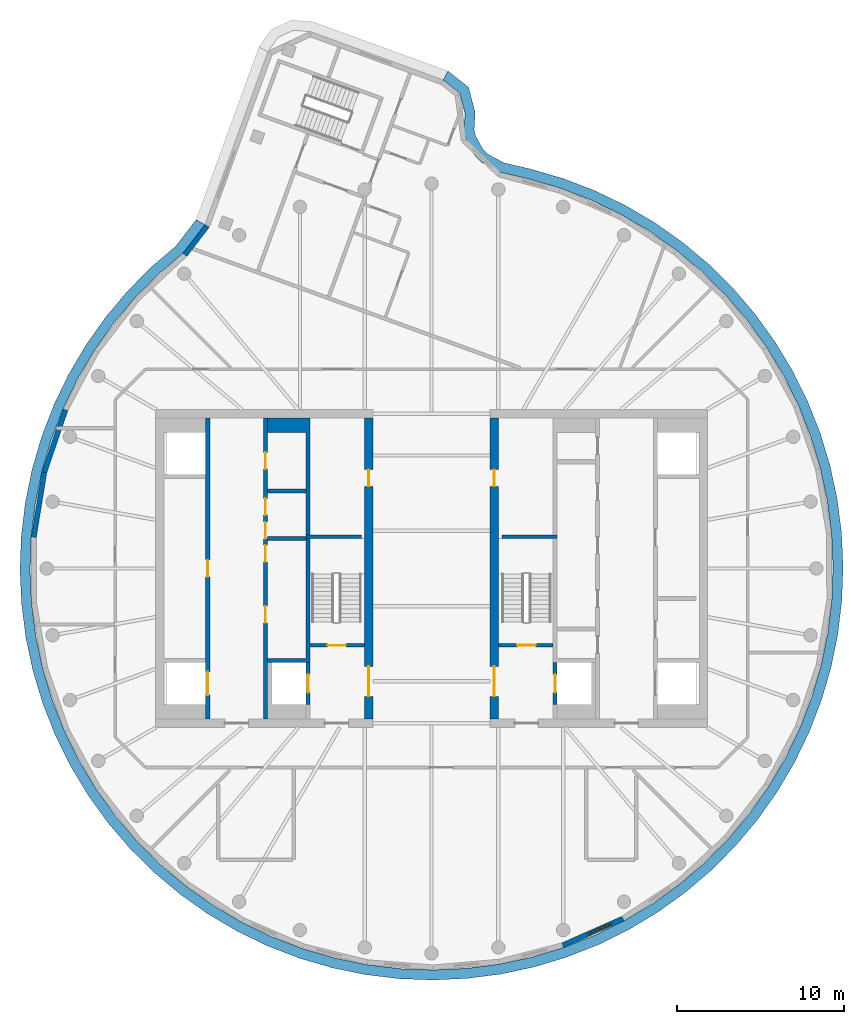
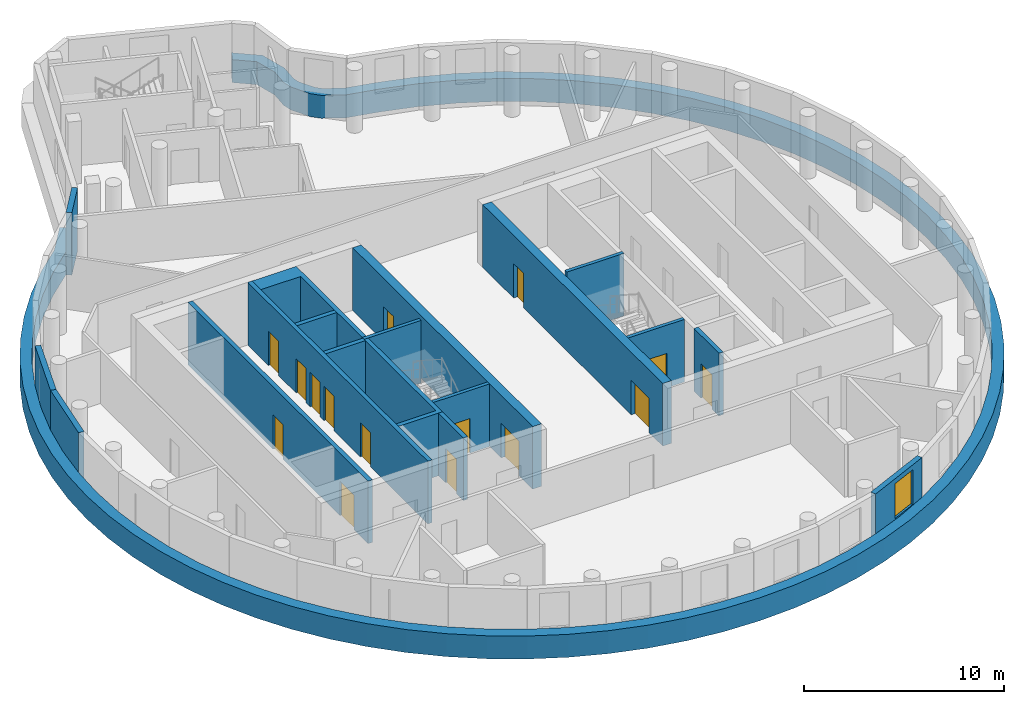
# One storey, part 3 of 7: 17 walls, 15 doors, 1 member, 1 window, 16 openings.
"""IFC4 building model written with IfcOpenShell, lengths in metres."""

from ifc_helpers import new_model, si_unit, direction, frame, frame_2d, origin, place, context, subcontext, project, spatial, polyline, rectangle, outline, extrude, material, layer, layer_set, type_object, element, fill, aggregate, save


model = new_model("IFC4")

# Units and contexts
model_context = context("Model", 3, precision=1e-05, world=origin(), true_north=direction((0.0, 1.0)))
body_context = subcontext(model_context, "Body", "Model", "MODEL_VIEW")
ifc_project = project(units=[si_unit("LENGTHUNIT", "METRE"), si_unit("AREAUNIT", "SQUARE_METRE"), si_unit("VOLUMEUNIT", "CUBIC_METRE"), si_unit("PLANEANGLEUNIT", "RADIAN"), si_unit("MASSUNIT", "GRAM", prefix="KILO")], contexts=[model_context])

# Member
ifc_material_1 = material(Name="Aluminium and insulated spandrel panel", Category="aluminium")
member_type = type_object("IfcMemberType", Name="Floor-edge blade transom", PredefinedType="USERDEFINED", material=ifc_material_1)
site_placement = place(None, origin())
building_placement = place(site_placement, origin())
storey_placement = place(building_placement, frame((0.0, 0.0, 305.39990234375)))
member_placement = place(storey_placement, origin())
member = element("IfcMember", 1, at=member_placement, type_object=member_type, Name="CWT-L75-02", ObjectType="TRANSOM", PredefinedType="USERDEFINED", context=body_context, shape_type="SweptSolid", body=[
    extrude(outline(polyline([(-13.54248046875, 20.54736328125), (-14.847900390625, 18.848876953125), (-16.327880859375, 17.584228515625), (-17.72412109375, 16.17578125), (-18.99951171875, 14.656982421875), (-20.14501953125, 13.0380859375), (-21.15283203125, 11.329833984375), (-22.01611328125, 9.54443359375), (-22.72900390625, 7.69384765625), (-23.286865234375, 5.79052734375), (-23.685546875, 3.84765625), (-23.92236328125, 1.878662109375), (-23.995849609375, -0.103271484375), (-23.9052734375, -2.08447265625), (-23.6513671875, -4.051513671875), (-23.236083984375, -5.99072265625), (-22.662109375, -7.88916015625), (-21.93310546875, -9.733642578125), (-21.054443359375, -11.511474609375), (-20.031982421875, -13.2109375), (-18.87255859375, -14.820068359375), (-17.584228515625, -16.327880859375), (-16.17578125, -17.72412109375), (-14.656982421875, -18.99951171875), (-13.0380859375, -20.14501953125), (-11.329833984375, -21.15283203125), (-9.54443359375, -22.01611328125), (-7.69384765625, -22.72900390625), (-5.79052734375, -23.286865234375), (-3.84765625, -23.685546875), (-1.878662109375, -23.92236328125), (0.103271484375, -23.995849609375), (2.08447265625, -23.9052734375), (4.051513671875, -23.6513671875), (5.99072265625, -23.236083984375), (7.88916015625, -22.662109375), (9.733642578125, -21.93310546875), (11.511474609375, -21.054443359375), (13.2109375, -20.031982421875), (14.820068359375, -18.87255859375), (16.327880859375, -17.584228515625), (17.72412109375, -16.17578125), (18.99951171875, -14.656982421875), (20.14501953125, -13.0380859375), (21.15283203125, -11.329833984375), (22.01611328125, -9.54443359375), (22.72900390625, -7.69384765625), (23.286865234375, -5.79052734375), (23.685546875, -3.84765625), (23.92236328125, -1.878662109375), (23.995849609375, 0.103271484375), (23.9052734375, 2.08447265625), (23.6513671875, 4.051513671875), (23.236083984375, 5.99072265625), (22.662109375, 7.88916015625), (21.93310546875, 9.733642578125), (21.054443359375, 11.511474609375), (20.031982421875, 13.2109375), (18.87255859375, 14.820068359375), (17.584228515625, 16.327880859375), (16.17578125, 17.72412109375), (14.656982421875, 18.99951171875), (13.0380859375, 20.14501953125), (11.329833984375, 21.15283203125), (9.54443359375, 22.01611328125), (7.69384765625, 22.72900390625), (5.79052734375, 23.286865234375), (4.106689453125, 23.68115234375), (2.99658203125, 24.276123046875), (2.603515625, 24.663330078125), (2.0615234375, 25.6376953125), (1.940185546875, 26.176025390625), (2.004638671875, 27.190673828125), (1.6826171875, 28.412353515625), (0.692626953125, 29.197021484375), (0.9892578125, 29.7275390625), (2.2119140625, 28.75830078125), (2.609619140625, 27.249755859375), (2.54443359375, 26.223876953125), (2.6279296875, 25.85400390625), (3.0859375, 25.0302734375), (3.356201171875, 24.76416015625), (4.3203125, 24.247314453125), (5.943359375, 23.8671875), (7.88623046875, 23.2978515625), (9.783203125, 22.567138671875), (11.613525390625, 21.68212890625), (13.3642578125, 20.64892578125), (15.023681640625, 19.474853515625), (16.580810546875, 18.167724609375), (18.0244140625, 16.736572265625), (19.344970703125, 15.19091796875), (20.533203125, 13.54150390625), (21.581298828125, 11.799560546875), (22.482177734375, 9.97705078125), (23.229248046875, 8.08642578125), (23.817626953125, 6.140625), (24.243408203125, 4.15283203125), (24.50341796875, 2.13671875), (24.59619140625, 0.10595703125), (24.52099609375, -1.925537109375), (24.2783203125, -3.944091796875), (23.86962890625, -5.935302734375), (23.2978515625, -7.88623046875), (22.567138671875, -9.783203125), (21.68212890625, -11.613525390625), (20.64892578125, -13.3642578125), (19.474853515625, -15.023681640625), (18.167724609375, -16.580810546875), (16.736572265625, -18.0244140625), (15.19091796875, -19.344970703125), (13.54150390625, -20.533203125), (11.799560546875, -21.581298828125), (9.97705078125, -22.482177734375), (8.08642578125, -23.229248046875), (6.140625, -23.817626953125), (4.15283203125, -24.243408203125), (2.13671875, -24.50341796875), (0.10595703125, -24.59619140625), (-1.925537109375, -24.52099609375), (-3.944091796875, -24.2783203125), (-5.935302734375, -23.86962890625), (-7.88623046875, -23.2978515625), (-9.783203125, -22.567138671875), (-11.613525390625, -21.68212890625), (-13.3642578125, -20.64892578125), (-15.023681640625, -19.474853515625), (-16.580810546875, -18.167724609375), (-18.0244140625, -16.736572265625), (-19.344970703125, -15.19091796875), (-20.533203125, -13.54150390625), (-21.581298828125, -11.799560546875), (-22.482177734375, -9.97705078125), (-23.229248046875, -8.08642578125), (-23.817626953125, -6.140625), (-24.243408203125, -4.15283203125), (-24.50341796875, -2.13671875), (-24.59619140625, -0.10595703125), (-24.52099609375, 1.925537109375), (-24.2783203125, 3.944091796875), (-23.86962890625, 5.935302734375), (-23.2978515625, 7.88623046875), (-22.567138671875, 9.783203125), (-21.68212890625, 11.613525390625), (-20.64892578125, 13.3642578125), (-19.474853515625, 15.023681640625), (-18.167724609375, 16.580810546875), (-16.736572265625, 18.0244140625), (-15.285400390625, 19.264404296875), (-14.07470703125, 20.839599609375), (-13.54248046875, 20.54736328125)])), origin(), (0.0, 0.0, 1.0), 1.400146484375),
])

# Site, building, storey
site = spatial("IfcSite", under=ifc_project, at=site_placement, CompositionType="ELEMENT")
building = spatial("IfcBuilding", under=site, at=building_placement, Name="Tamarind Cross Interchange Tower", CompositionType="ELEMENT")
storey = spatial("IfcBuildingStorey", under=building, at=storey_placement, Name="L75", CompositionType="ELEMENT", Elevation=305.39990234375)

# Wall, openings, doors
ifc_material_2 = material(Name="Concrete C50", Category="concrete")
ifc_layer_1 = layer(ifc_material_2, 0.5)
ifc_layer_set_1 = layer_set([ifc_layer_1], Name="Concrete C50")
wall_type_1 = type_object("IfcWallType", Name="Core wall 500 mm Concrete C50", PredefinedType="SHEAR", material=ifc_layer_set_1)
wall_1_placement = place(storey_placement, frame((-3.75, -9.0, 0.0), z_axis=(0.0, 0.0, 1.0), x_axis=(0.0, 1.0, 0.0)))
wall_1 = element("IfcWall", 2, at=wall_1_placement, inside=storey, type_object=wall_type_1, Name="Core wall CWL-L75-W-IN", PredefinedType="SHEAR", context=body_context, shape_type="SweptSolid", body=[
    extrude(rectangle(XDim=18.0, YDim=0.5, at=frame_2d((9.0, 0.0))), origin(), (0.0, 0.0, 1.0), 3.820068359375),
])
opening_1_placement = place(wall_1_placement, frame((1.35009765625, 0.0, 0.0)))
opening_1 = element("IfcOpeningElement", 3, at=opening_1_placement, cuts=wall_1, Name="Opening DCW4", PredefinedType="OPENING", context=body_context, shape_type="SweptSolid", body=[
    extrude(rectangle(XDim=1.800048828125, YDim=2.10009765625, at=frame_2d((0.89990234375, 1.050048828125))), frame((0.0, 0.260009765625, 0.0), z_axis=(0.0, -1.0, 0.0), x_axis=(1.0, 0.0, 0.0)), (0.0, 0.0, 1.0), 0.52001953125),
])
opening_2_placement = place(wall_1_placement, frame((13.89990234375, 0.0, 0.0)))
opening_2 = element("IfcOpeningElement", 4, at=opening_2_placement, cuts=wall_1, Name="Opening DCW5", PredefinedType="OPENING", context=body_context, shape_type="SweptSolid", body=[
    extrude(rectangle(XDim=1.0, YDim=2.10009765625, at=frame_2d((0.5, 1.050048828125))), frame((0.0, 0.260009765625, 0.0), z_axis=(0.0, -1.0, 0.0), x_axis=(1.0, 0.0, 0.0)), (0.0, 0.0, 1.0), 0.52001953125),
])
ifc_material_3 = material(Name="Steel, fire-resisting", Category="steel")
door_type_1 = type_object("IfcDoorType", Name="Core fire door 1000 x 2100 FD90", OperationType="SINGLE_SWING_LEFT", PredefinedType="DOOR", material=ifc_material_3)
door_1_placement = place(opening_2_placement, origin())
door_1 = element("IfcDoor", 5, at=door_1_placement, inside=storey, type_object=door_type_1, Name="L75 riser room door", OperationType="SINGLE_SWING_LEFT", OverallHeight=2.10009765625, OverallWidth=1.0, PredefinedType="DOOR", context=body_context, shape_type="SweptSolid", body=[
    extrude(rectangle(XDim=1.0, YDim=2.10009765625, at=frame_2d((0.5, 1.050048828125))), frame((0.0, 0.02490234375, 0.0), z_axis=(0.0, -1.0, 0.0), x_axis=(1.0, 0.0, 0.0)), (0.0, 0.0, 1.0), 0.050048828125),
])
fill(opening_2, door_1)
door_type_2 = type_object("IfcDoorType", Name="Core fire door 1800 x 2100 FD90", OperationType="SINGLE_SWING_LEFT", PredefinedType="DOOR", material=ifc_material_3)
door_2_placement = place(opening_1_placement, origin())
door_2 = element("IfcDoor", 6, at=door_2_placement, inside=storey, type_object=door_type_2, Name="L75 firefighting lobby door", OperationType="SINGLE_SWING_LEFT", OverallHeight=2.10009765625, OverallWidth=1.800048828125, PredefinedType="DOOR", context=body_context, shape_type="SweptSolid", body=[
    extrude(rectangle(XDim=1.800048828125, YDim=2.10009765625, at=frame_2d((0.89990234375, 1.050048828125))), frame((0.0, 0.02490234375, 0.0), z_axis=(0.0, -1.0, 0.0), x_axis=(1.0, 0.0, 0.0)), (0.0, 0.0, 1.0), 0.050048828125),
])
fill(opening_1, door_2)

wall_2_placement = place(storey_placement, frame((3.75, -9.0, 0.0), z_axis=(0.0, 0.0, 1.0), x_axis=(0.0, 1.0, 0.0)))
wall_2 = element("IfcWall", 7, at=wall_2_placement, inside=storey, type_object=wall_type_1, Name="Core wall CWL-L75-E-IN", PredefinedType="SHEAR", context=body_context, shape_type="SweptSolid", body=[
    extrude(rectangle(XDim=18.0, YDim=0.5, at=frame_2d((9.0, 0.0))), origin(), (0.0, 0.0, 1.0), 3.820068359375),
])
opening_3_placement = place(wall_2_placement, frame((1.35009765625, 0.0, 0.0)))
opening_3 = element("IfcOpeningElement", 8, at=opening_3_placement, cuts=wall_2, Name="Opening DCE4", PredefinedType="OPENING", context=body_context, shape_type="SweptSolid", body=[
    extrude(rectangle(XDim=1.800048828125, YDim=2.10009765625, at=frame_2d((0.89990234375, 1.050048828125))), frame((0.0, 0.260009765625, 0.0), z_axis=(0.0, -1.0, 0.0), x_axis=(1.0, 0.0, 0.0)), (0.0, 0.0, 1.0), 0.52001953125),
])
opening_4_placement = place(wall_2_placement, frame((13.89990234375, 0.0, 0.0)))
opening_4 = element("IfcOpeningElement", 9, at=opening_4_placement, cuts=wall_2, Name="Opening DCE5", PredefinedType="OPENING", context=body_context, shape_type="SweptSolid", body=[
    extrude(rectangle(XDim=1.0, YDim=2.10009765625, at=frame_2d((0.5, 1.050048828125))), frame((0.0, 0.260009765625, 0.0), z_axis=(0.0, -1.0, 0.0), x_axis=(1.0, 0.0, 0.0)), (0.0, 0.0, 1.0), 0.52001953125),
])
door_3_placement = place(opening_4_placement, origin())
door_3 = element("IfcDoor", 10, at=door_3_placement, inside=storey, type_object=door_type_1, Name="L75 riser room door", OperationType="SINGLE_SWING_LEFT", OverallHeight=2.10009765625, OverallWidth=1.0, PredefinedType="DOOR", context=body_context, shape_type="SweptSolid", body=[
    extrude(rectangle(XDim=1.0, YDim=2.10009765625, at=frame_2d((0.5, 1.050048828125))), frame((0.0, 0.02490234375, 0.0), z_axis=(0.0, -1.0, 0.0), x_axis=(1.0, 0.0, 0.0)), (0.0, 0.0, 1.0), 0.050048828125),
])
fill(opening_4, door_3)
door_4_placement = place(opening_3_placement, origin())
door_4 = element("IfcDoor", 11, at=door_4_placement, inside=storey, type_object=door_type_2, Name="L75 firefighting lobby door", OperationType="SINGLE_SWING_LEFT", OverallHeight=2.10009765625, OverallWidth=1.800048828125, PredefinedType="DOOR", context=body_context, shape_type="SweptSolid", body=[
    extrude(rectangle(XDim=1.800048828125, YDim=2.10009765625, at=frame_2d((0.89990234375, 1.050048828125))), frame((0.0, 0.02490234375, 0.0), z_axis=(0.0, -1.0, 0.0), x_axis=(1.0, 0.0, 0.0)), (0.0, 0.0, 1.0), 0.050048828125),
])
fill(opening_3, door_4)

# Walls
ifc_layer_2 = layer(ifc_material_2, 0.199951171875)
ifc_layer_set_2 = layer_set([ifc_layer_2], Name="Concrete C50")
wall_type_2 = type_object("IfcWallType", Name="Core web wall 200 mm Concrete C50", PredefinedType="SHEAR", material=ifc_layer_set_2)
for number, where, z_axis, x_axis, name in (
    (12, (-7.5, 1.89990234375, 0.0), (0.0, 0.0, 1.0), (1.0, 0.0, 0.0), "Core wall CWL-L75-W-BD"),
    (13, (7.5, 1.89990234375, 0.0), (0.0, 0.0, 1.0), (-1.0, 0.0, 0.0), "Core wall CWL-L75-E-BD"),
):
    element("IfcWall", number, at=place(storey_placement, frame(where, z_axis=z_axis, x_axis=x_axis)), inside=storey, type_object=wall_type_2, Name=name, PredefinedType="SHEAR", context=body_context, shape_type="SweptSolid", body=[
        extrude(rectangle(XDim=3.300048828125, YDim=0.199951171875, at=frame_2d((1.64990234375, 0.0))), origin(), (0.0, 0.0, 1.0), 3.820068359375),
    ])
ifc_layer_3 = layer(ifc_material_2, 0.25)
ifc_layer_set_3 = layer_set([ifc_layer_3], Name="Concrete C50")
wall_type_3 = type_object("IfcWallType", Name="Core web wall 250 mm Concrete C50", PredefinedType="SHEAR", material=ifc_layer_set_3)
wall_3_placement = place(storey_placement, origin())
element("IfcWall", 14, at=wall_3_placement, inside=storey, type_object=wall_type_3, Name="Core wall CWL-L75-W-BN", PredefinedType="SHEAR", context=body_context, shape_type="SweptSolid", body=[
    extrude(outline(polyline([(-9.800048828125, -5.625), (-7.5, -5.625), (-7.25, -5.625), (-7.25, 9.0), (-7.5, 9.0), (-9.800048828125, 9.0), (-9.800048828125, 8.125), (-7.5, 8.125), (-7.5, -5.375), (-9.800048828125, -5.375), (-9.800048828125, -5.625)])), origin(), (0.0, 0.0, 1.0), 3.820068359375),
])

# Wall, openings, doors
wall_4_placement = place(storey_placement, frame((-13.375, -9.0, 0.0), z_axis=(0.0, 0.0, 1.0), x_axis=(0.0, 1.0, 0.0)))
wall_4 = element("IfcWall", 15, at=wall_4_placement, inside=storey, type_object=wall_type_3, Name="Core wall CWL-L75-W-LA", PredefinedType="SHEAR", context=body_context, shape_type="SweptSolid", body=[
    extrude(rectangle(XDim=18.0, YDim=0.25, at=frame_2d((9.0, 0.0))), origin(), (0.0, 0.0, 1.0), 3.820068359375),
])
opening_5_placement = place(wall_4_placement, frame((1.425048828125, 0.0, 0.0)))
opening_5 = element("IfcOpeningElement", 16, at=opening_5_placement, cuts=wall_4, Name="Opening LD1L75", PredefinedType="OPENING", context=body_context, shape_type="SweptSolid", body=[
    extrude(rectangle(XDim=1.39990234375, YDim=2.10009765625, at=frame_2d((0.699951171875, 1.050048828125))), frame((0.0, 0.135009765625, 0.0), z_axis=(0.0, -1.0, 0.0), x_axis=(1.0, 0.0, 0.0)), (0.0, 0.0, 1.0), 0.27001953125),
])
opening_6_placement = place(wall_4_placement, frame((8.5, 0.0, 0.0)))
opening_6 = element("IfcOpeningElement", 17, at=opening_6_placement, cuts=wall_4, Name="Opening DCW9", PredefinedType="OPENING", context=body_context, shape_type="SweptSolid", body=[
    extrude(rectangle(XDim=1.0, YDim=2.10009765625, at=frame_2d((0.5, 1.050048828125))), frame((0.0, 0.135009765625, 0.0), z_axis=(0.0, -1.0, 0.0), x_axis=(1.0, 0.0, 0.0)), (0.0, 0.0, 1.0), 0.27001953125),
])
door_5_placement = place(opening_6_placement, origin())
door_5 = element("IfcDoor", 18, at=door_5_placement, inside=storey, type_object=door_type_1, Name="L75 Pump room door", OperationType="SINGLE_SWING_LEFT", OverallHeight=2.10009765625, OverallWidth=1.0, PredefinedType="DOOR", context=body_context, shape_type="SweptSolid", body=[
    extrude(rectangle(XDim=1.0, YDim=2.10009765625, at=frame_2d((0.5, 1.050048828125))), frame((0.0, 0.02490234375, 0.0), z_axis=(0.0, -1.0, 0.0), x_axis=(1.0, 0.0, 0.0)), (0.0, 0.0, 1.0), 0.050048828125),
])
fill(opening_6, door_5)
ifc_material_4 = material(Name="Stainless steel panel", Category="steel")
door_type_3 = type_object("IfcDoorType", Name="Lift landing door 1400 x 2100 E 120", OperationType="SLIDING_TO_LEFT", PredefinedType="DOOR", material=ifc_material_4)
door_6_placement = place(opening_5_placement, origin())
door_6 = element("IfcDoor", 19, at=door_6_placement, inside=storey, type_object=door_type_3, Name="L75 landing door LF1", OperationType="SLIDING_TO_LEFT", OverallHeight=2.10009765625, OverallWidth=1.39990234375, PredefinedType="DOOR", context=body_context, shape_type="SweptSolid", body=[
    extrude(rectangle(XDim=1.39990234375, YDim=2.10009765625, at=frame_2d((0.699951171875, 1.050048828125))), frame((0.0, 0.02490234375, 0.0), z_axis=(0.0, -1.0, 0.0), x_axis=(1.0, 0.0, 0.0)), (0.0, 0.0, 1.0), 0.050048828125),
])
fill(opening_5, door_6)

wall_5_placement = place(storey_placement, frame((-9.925048828125, -9.0, 0.0), z_axis=(0.0, 0.0, 1.0), x_axis=(0.0, 1.0, 0.0)))
wall_5 = element("IfcWall", 20, at=wall_5_placement, inside=storey, type_object=wall_type_3, Name="Core wall CWL-L75-W-LB", PredefinedType="SHEAR", context=body_context, shape_type="SweptSolid", body=[
    extrude(rectangle(XDim=18.0, YDim=0.25, at=frame_2d((9.0, 0.0))), origin(), (0.0, 0.0, 1.0), 3.820068359375),
])
opening_7_placement = place(wall_5_placement, frame((5.75, 0.0, 0.0)))
opening_7 = element("IfcOpeningElement", 21, at=opening_7_placement, cuts=wall_5, Name="Opening DCW21", PredefinedType="OPENING", context=body_context, shape_type="SweptSolid", body=[
    extrude(rectangle(XDim=1.0, YDim=2.10009765625, at=frame_2d((0.5, 1.050048828125))), frame((0.0, 0.135009765625, 0.0), z_axis=(0.0, -1.0, 0.0), x_axis=(1.0, 0.0, 0.0)), (0.0, 0.0, 1.0), 0.27001953125),
])
opening_8_placement = place(wall_5_placement, frame((9.39599609375, 0.0, 0.0)))
opening_8 = element("IfcOpeningElement", 22, at=opening_8_placement, cuts=wall_5, Name="Opening DCW21", PredefinedType="OPENING", context=body_context, shape_type="SweptSolid", body=[
    extrude(rectangle(XDim=1.0, YDim=2.10009765625, at=frame_2d((0.5, 1.050048828125))), frame((0.0, 0.135009765625, 0.0), z_axis=(0.0, -1.0, 0.0), x_axis=(1.0, 0.0, 0.0)), (0.0, 0.0, 1.0), 0.27001953125),
])
opening_9_placement = place(wall_5_placement, frame((10.77099609375, 0.0, 0.0)))
opening_9 = element("IfcOpeningElement", 23, at=opening_9_placement, cuts=wall_5, Name="Opening DCW22", PredefinedType="OPENING", context=body_context, shape_type="SweptSolid", body=[
    extrude(rectangle(XDim=1.0, YDim=2.10009765625, at=frame_2d((0.5, 1.050048828125))), frame((0.0, 0.135009765625, 0.0), z_axis=(0.0, -1.0, 0.0), x_axis=(1.0, 0.0, 0.0)), (0.0, 0.0, 1.0), 0.27001953125),
])
opening_10_placement = place(wall_5_placement, frame((12.1875, 0.0, 0.0)))
opening_10 = element("IfcOpeningElement", 24, at=opening_10_placement, cuts=wall_5, Name="Opening DCW21", PredefinedType="OPENING", context=body_context, shape_type="SweptSolid", body=[
    extrude(rectangle(XDim=1.0, YDim=2.10009765625, at=frame_2d((0.5, 1.050048828125))), frame((0.0, 0.135009765625, 0.0), z_axis=(0.0, -1.0, 0.0), x_axis=(1.0, 0.0, 0.0)), (0.0, 0.0, 1.0), 0.27001953125),
])
opening_11_placement = place(wall_5_placement, frame((14.9375, 0.0, 0.0)))
opening_11 = element("IfcOpeningElement", 25, at=opening_11_placement, cuts=wall_5, Name="Opening DCW22", PredefinedType="OPENING", context=body_context, shape_type="SweptSolid", body=[
    extrude(rectangle(XDim=1.0, YDim=2.10009765625, at=frame_2d((0.5, 1.050048828125))), frame((0.0, 0.135009765625, 0.0), z_axis=(0.0, -1.0, 0.0), x_axis=(1.0, 0.0, 0.0)), (0.0, 0.0, 1.0), 0.27001953125),
])
door_7_placement = place(opening_7_placement, origin())
door_7 = element("IfcDoor", 26, at=door_7_placement, inside=storey, type_object=door_type_1, Name="L75 Storage room door", OperationType="SINGLE_SWING_LEFT", OverallHeight=2.10009765625, OverallWidth=1.0, PredefinedType="DOOR", context=body_context, shape_type="SweptSolid", body=[
    extrude(rectangle(XDim=1.0, YDim=2.10009765625, at=frame_2d((0.5, 1.050048828125))), frame((0.0, 0.02490234375, 0.0), z_axis=(0.0, -1.0, 0.0), x_axis=(1.0, 0.0, 0.0)), (0.0, 0.0, 1.0), 0.050048828125),
])
fill(opening_7, door_7)
door_8_placement = place(opening_8_placement, origin())
door_8 = element("IfcDoor", 27, at=door_8_placement, inside=storey, type_object=door_type_1, Name="L75 Battery room door", OperationType="SINGLE_SWING_LEFT", OverallHeight=2.10009765625, OverallWidth=1.0, PredefinedType="DOOR", context=body_context, shape_type="SweptSolid", body=[
    extrude(rectangle(XDim=1.0, YDim=2.10009765625, at=frame_2d((0.5, 1.050048828125))), frame((0.0, 0.02490234375, 0.0), z_axis=(0.0, -1.0, 0.0), x_axis=(1.0, 0.0, 0.0)), (0.0, 0.0, 1.0), 0.050048828125),
])
fill(opening_8, door_8)
door_9_placement = place(opening_9_placement, origin())
door_9 = element("IfcDoor", 28, at=door_9_placement, inside=storey, type_object=door_type_1, Name="L75 Switch room door", OperationType="SINGLE_SWING_LEFT", OverallHeight=2.10009765625, OverallWidth=1.0, PredefinedType="DOOR", context=body_context, shape_type="SweptSolid", body=[
    extrude(rectangle(XDim=1.0, YDim=2.10009765625, at=frame_2d((0.5, 1.050048828125))), frame((0.0, 0.02490234375, 0.0), z_axis=(0.0, -1.0, 0.0), x_axis=(1.0, 0.0, 0.0)), (0.0, 0.0, 1.0), 0.050048828125),
])
fill(opening_9, door_9)
door_10_placement = place(opening_10_placement, origin())
door_10 = element("IfcDoor", 29, at=door_10_placement, inside=storey, type_object=door_type_1, Name="L75 Plant room door", OperationType="SINGLE_SWING_LEFT", OverallHeight=2.10009765625, OverallWidth=1.0, PredefinedType="DOOR", context=body_context, shape_type="SweptSolid", body=[
    extrude(rectangle(XDim=1.0, YDim=2.10009765625, at=frame_2d((0.5, 1.050048828125))), frame((0.0, 0.02490234375, 0.0), z_axis=(0.0, -1.0, 0.0), x_axis=(1.0, 0.0, 0.0)), (0.0, 0.0, 1.0), 0.050048828125),
])
fill(opening_10, door_10)
door_11_placement = place(opening_11_placement, origin())
door_11 = element("IfcDoor", 30, at=door_11_placement, inside=storey, type_object=door_type_1, Name="L75 Storage room door", OperationType="SINGLE_SWING_LEFT", OverallHeight=2.10009765625, OverallWidth=1.0, PredefinedType="DOOR", context=body_context, shape_type="SweptSolid", body=[
    extrude(rectangle(XDim=1.0, YDim=2.10009765625, at=frame_2d((0.5, 1.050048828125))), frame((0.0, 0.02490234375, 0.0), z_axis=(0.0, -1.0, 0.0), x_axis=(1.0, 0.0, 0.0)), (0.0, 0.0, 1.0), 0.050048828125),
])
fill(opening_11, door_11)

# Wall, opening, door
wall_6_placement = place(storey_placement, frame((-7.375, -8.125, 0.0), z_axis=(0.0, 0.0, 1.0), x_axis=(0.0, 1.0, 0.0)))
wall_6 = element("IfcWall", 31, at=wall_6_placement, inside=storey, type_object=wall_type_3, Name="Core wall CWL-L75-W-FF", PredefinedType="SHEAR", context=body_context, shape_type="SweptSolid", body=[
    extrude(rectangle(XDim=2.5, YDim=0.25, at=frame_2d((1.25, 0.0))), origin(), (0.0, 0.0, 1.0), 3.820068359375),
])
opening_12_placement = place(wall_6_placement, frame((0.699951171875, 0.0, 0.0)))
opening_12 = element("IfcOpeningElement", 32, at=opening_12_placement, cuts=wall_6, Name="Opening LD7L75", PredefinedType="OPENING", context=body_context, shape_type="SweptSolid", body=[
    extrude(rectangle(XDim=1.10009765625, YDim=2.10009765625, at=frame_2d((0.550048828125, 1.050048828125))), frame((0.0, 0.135009765625, 0.0), z_axis=(0.0, -1.0, 0.0), x_axis=(1.0, 0.0, 0.0)), (0.0, 0.0, 1.0), 0.27001953125),
])
door_type_4 = type_object("IfcDoorType", Name="Lift landing door 1100 x 2100 E 120", OperationType="SLIDING_TO_LEFT", PredefinedType="DOOR", material=ifc_material_4)
door_12_placement = place(opening_12_placement, origin())
door_12 = element("IfcDoor", 33, at=door_12_placement, inside=storey, type_object=door_type_4, Name="L75 landing door LF7", OperationType="SLIDING_TO_LEFT", OverallHeight=2.10009765625, OverallWidth=1.10009765625, PredefinedType="DOOR", context=body_context, shape_type="SweptSolid", body=[
    extrude(rectangle(XDim=1.10009765625, YDim=2.10009765625, at=frame_2d((0.550048828125, 1.050048828125))), frame((0.0, 0.02490234375, 0.0), z_axis=(0.0, -1.0, 0.0), x_axis=(1.0, 0.0, 0.0)), (0.0, 0.0, 1.0), 0.050048828125),
])
fill(opening_12, door_12)

wall_7_placement = place(storey_placement, frame((7.375, -8.125, 0.0), z_axis=(0.0, 0.0, 1.0), x_axis=(0.0, 1.0, 0.0)))
wall_7 = element("IfcWall", 34, at=wall_7_placement, inside=storey, type_object=wall_type_3, Name="Core wall CWL-L75-E-FF", PredefinedType="SHEAR", context=body_context, shape_type="SweptSolid", body=[
    extrude(rectangle(XDim=2.5, YDim=0.25, at=frame_2d((1.25, 0.0))), origin(), (0.0, 0.0, 1.0), 3.820068359375),
])
opening_13_placement = place(wall_7_placement, frame((0.699951171875, 0.0, 0.0)))
opening_13 = element("IfcOpeningElement", 35, at=opening_13_placement, cuts=wall_7, Name="Opening LD19L75", PredefinedType="OPENING", context=body_context, shape_type="SweptSolid", body=[
    extrude(rectangle(XDim=1.10009765625, YDim=2.10009765625, at=frame_2d((0.550048828125, 1.050048828125))), frame((0.0, 0.135009765625, 0.0), z_axis=(0.0, -1.0, 0.0), x_axis=(1.0, 0.0, 0.0)), (0.0, 0.0, 1.0), 0.27001953125),
])
door_13_placement = place(opening_13_placement, origin())
door_13 = element("IfcDoor", 36, at=door_13_placement, inside=storey, type_object=door_type_4, Name="L75 landing door LF19", OperationType="SLIDING_TO_LEFT", OverallHeight=2.10009765625, OverallWidth=1.10009765625, PredefinedType="DOOR", context=body_context, shape_type="SweptSolid", body=[
    extrude(rectangle(XDim=1.10009765625, YDim=2.10009765625, at=frame_2d((0.550048828125, 1.050048828125))), frame((0.0, 0.02490234375, 0.0), z_axis=(0.0, -1.0, 0.0), x_axis=(1.0, 0.0, 0.0)), (0.0, 0.0, 1.0), 0.050048828125),
])
fill(opening_13, door_13)

# Wall
ifc_material_5 = material(Name="Precast concrete C40", Category="concrete")
ifc_layer_4 = layer(ifc_material_5, 0.300048828125)
ifc_layer_set_4 = layer_set([ifc_layer_4], Name="Precast concrete C40")
wall_type_4 = type_object("IfcWallType", Name="Plant louvre wall", PredefinedType="SOLIDWALL", material=ifc_layer_set_4)
wall_8_placement = place(storey_placement, frame((-13.409423828125, 20.474365234375, 0.0), z_axis=(0.0, 0.0, 1.0), x_axis=(-0.609396950442, -0.792865282877, 0.0)))
wall_8 = element("IfcWall", 37, at=wall_8_placement, inside=storey, type_object=wall_type_4, Name="EXW-L75-02-00", PredefinedType="SOLIDWALL", context=body_context, shape_type="SweptSolid", body=[
    extrude(rectangle(XDim=2.180908203125, YDim=0.300048828125, at=frame_2d((1.09033203125, 0.0))), origin(), (0.0, 0.0, 1.0), 3.820068359375),
])

aggregate(wall_8, [member])

# Walls
wall_9_placement = place(storey_placement, frame((-21.87841796875, 9.484619140625, 0.0), z_axis=(0.0, 0.0, 1.0), x_axis=(-0.320613287718, -0.947210177172, 0.0)))
element("IfcWall", 38, at=wall_9_placement, inside=storey, type_object=wall_type_4, Name="EXW-L75-02-04", PredefinedType="SOLIDWALL", context=body_context, shape_type="SweptSolid", body=[
    extrude(rectangle(XDim=3.9384765625, YDim=0.300048828125, at=frame_2d((1.96923828125, 0.0))), origin(), (0.0, 0.0, 1.0), 3.820068359375),
])
wall_10_placement = place(storey_placement, frame((-23.14111328125, 5.754150390625, 0.0), z_axis=(0.0, 0.0, 1.0), x_axis=(-0.160376439891, -0.987055924215, 0.0)))
element("IfcWall", 39, at=wall_10_placement, inside=storey, type_object=wall_type_4, Name="EXW-L75-02-05", PredefinedType="SOLIDWALL", context=body_context, shape_type="SweptSolid", body=[
    extrude(rectangle(XDim=3.938232421875, YDim=0.300048828125, at=frame_2d((1.96923828125, 0.0))), origin(), (0.0, 0.0, 1.0), 3.820068359375),
])

# Wall, opening, window
wall_11_placement = place(storey_placement, frame((7.839599609375, -22.520263671875, 0.0), z_axis=(0.0, 0.0, 1.0), x_axis=(0.91404912862, 0.405603489221, 0.0)))
wall_11 = element("IfcWall", 40, at=wall_11_placement, inside=storey, type_object=wall_type_4, Name="EXW-L75-02-18", PredefinedType="SOLIDWALL", context=body_context, shape_type="SweptSolid", body=[
    extrude(rectangle(XDim=3.9384765625, YDim=0.300048828125, at=frame_2d((1.96923828125, 0.0))), origin(), (0.0, 0.0, 1.0), 3.820068359375),
])
opening_14_placement = place(wall_11_placement, frame((1.642578125, 0.0, 1.39990234375)))
opening_14 = element("IfcOpeningElement", 41, at=opening_14_placement, cuts=wall_11, Name="Opening W2", PredefinedType="OPENING", context=body_context, shape_type="SweptSolid", body=[
    extrude(rectangle(XDim=1.508544921875, YDim=2.1201171875, at=frame_2d((0.75439453125, 1.06005859375))), frame((0.0, 0.159912109375, 0.0), z_axis=(0.0, -1.0, 0.0), x_axis=(1.0, 0.0, 0.0)), (0.0, 0.0, 1.0), 0.320068359375),
])
ifc_material_6 = material(Name="Aluminium louvre", Category="aluminium")
window_type = type_object("IfcWindowType", Name="Plant louvre bank", PartitioningType="SINGLE_PANEL", PredefinedType="WINDOW", material=ifc_material_6)
window_placement = place(opening_14_placement, origin())
window = element("IfcWindow", 42, at=window_placement, inside=storey, type_object=window_type, Name="WIN-L75-02-18", OverallHeight=2.1201171875, OverallWidth=1.508544921875, PartitioningType="SINGLE_PANEL", PredefinedType="WINDOW", context=body_context, shape_type="SweptSolid", body=[
    extrude(rectangle(XDim=1.508544921875, YDim=2.1201171875, at=frame_2d((0.75439453125, 1.06005859375))), frame((0.0, 0.030029296875, 0.0), z_axis=(0.0, -1.0, 0.0), x_axis=(1.0, 0.0, 0.0)), (0.0, 0.0, 1.0), 0.06005859375),
])
fill(opening_14, window)

# Walls
ifc_material_7 = material(Name="Concrete C40", Category="concrete")
ifc_layer_5 = layer(ifc_material_7, 0.25)
ifc_layer_set_5 = layer_set([ifc_layer_5], Name="Concrete C40")
wall_type_5 = type_object("IfcWallType", Name="Shaft and lobby wall 250 mm Concrete C40", PredefinedType="PARTITIONING", material=ifc_layer_set_5)
for number, where, z_axis, x_axis, name in (
    (43, (-9.800048828125, 1.7919921875, 0.0), (0.0, 0.0, 1.0), (1.0, 0.0, 0.0), "Shaft wall CWL-L75-W-FPB3"),
    (44, (-9.800048828125, 4.625, 0.0), (0.0, 0.0, 1.0), (1.0, 0.0, 0.0), "Shaft wall CWL-L75-W-FPB4"),
):
    element("IfcWall", number, at=place(storey_placement, frame(where, z_axis=z_axis, x_axis=x_axis)), inside=storey, type_object=wall_type_5, Name=name, PredefinedType="PARTITIONING", context=body_context, shape_type="SweptSolid", body=[
        extrude(rectangle(XDim=2.300048828125, YDim=0.25, at=frame_2d((1.14990234375, 0.0))), origin(), (0.0, 0.0, 1.0), 3.820068359375),
    ])

# Wall, opening, door
ifc_layer_6 = layer(ifc_material_7, 0.199951171875)
ifc_layer_set_6 = layer_set([ifc_layer_6], Name="Concrete C40")
wall_type_6 = type_object("IfcWallType", Name="Stair shaft wall 200 mm Concrete C40", PredefinedType="SHEAR", material=ifc_layer_set_6)
wall_12_placement = place(storey_placement, frame((-7.25, -4.60009765625, 0.0), z_axis=(0.0, 0.0, 1.0), x_axis=(1.0, 0.0, 0.0)))
wall_12 = element("IfcWall", 45, at=wall_12_placement, inside=storey, type_object=wall_type_6, Name="Core wall CWL-L75-W-SD", PredefinedType="SHEAR", context=body_context, shape_type="SweptSolid", body=[
    extrude(rectangle(XDim=3.25, YDim=0.199951171875, at=frame_2d((1.625, 0.0))), origin(), (0.0, 0.0, 1.0), 3.820068359375),
])
opening_15_placement = place(wall_12_placement, frame((1.02490234375, 0.0, 0.0)))
opening_15 = element("IfcOpeningElement", 46, at=opening_15_placement, cuts=wall_12, Name="Opening DCW6", PredefinedType="OPENING", context=body_context, shape_type="SweptSolid", body=[
    extrude(rectangle(XDim=1.10009765625, YDim=2.10009765625, at=frame_2d((0.550048828125, 1.050048828125))), frame((0.0, 0.10986328125, 0.0), z_axis=(0.0, -1.0, 0.0), x_axis=(1.0, 0.0, 0.0)), (0.0, 0.0, 1.0), 0.219970703125),
])
door_type_5 = type_object("IfcDoorType", Name="Core fire door 1100 x 2100 FD90", OperationType="SINGLE_SWING_LEFT", PredefinedType="DOOR", material=ifc_material_3)
door_14_placement = place(opening_15_placement, origin())
door_14 = element("IfcDoor", 47, at=door_14_placement, inside=storey, type_object=door_type_5, Name="L75 stair door", OperationType="SINGLE_SWING_LEFT", OverallHeight=2.10009765625, OverallWidth=1.10009765625, PredefinedType="DOOR", context=body_context, shape_type="SweptSolid", body=[
    extrude(rectangle(XDim=1.10009765625, YDim=2.10009765625, at=frame_2d((0.550048828125, 1.050048828125))), frame((0.0, 0.02490234375, 0.0), z_axis=(0.0, -1.0, 0.0), x_axis=(1.0, 0.0, 0.0)), (0.0, 0.0, 1.0), 0.050048828125),
])
fill(opening_15, door_14)

wall_13_placement = place(storey_placement, frame((7.25, -4.60009765625, 0.0), z_axis=(0.0, 0.0, 1.0), x_axis=(-1.0, 0.0, 0.0)))
wall_13 = element("IfcWall", 48, at=wall_13_placement, inside=storey, type_object=wall_type_6, Name="Core wall CWL-L75-E-SD", PredefinedType="SHEAR", context=body_context, shape_type="SweptSolid", body=[
    extrude(rectangle(XDim=3.25, YDim=0.199951171875, at=frame_2d((1.625, 0.0))), origin(), (0.0, 0.0, 1.0), 3.820068359375),
])
opening_16_placement = place(wall_13_placement, frame((1.02490234375, 0.0, 0.0)))
opening_16 = element("IfcOpeningElement", 49, at=opening_16_placement, cuts=wall_13, Name="Opening DCE6", PredefinedType="OPENING", context=body_context, shape_type="SweptSolid", body=[
    extrude(rectangle(XDim=1.10009765625, YDim=2.10009765625, at=frame_2d((0.550048828125, 1.050048828125))), frame((0.0, 0.10986328125, 0.0), z_axis=(0.0, -1.0, 0.0), x_axis=(1.0, 0.0, 0.0)), (0.0, 0.0, 1.0), 0.219970703125),
])
door_15_placement = place(opening_16_placement, origin())
door_15 = element("IfcDoor", 50, at=door_15_placement, inside=storey, type_object=door_type_5, Name="L75 stair door", OperationType="SINGLE_SWING_LEFT", OverallHeight=2.10009765625, OverallWidth=1.10009765625, PredefinedType="DOOR", context=body_context, shape_type="SweptSolid", body=[
    extrude(rectangle(XDim=1.10009765625, YDim=2.10009765625, at=frame_2d((0.550048828125, 1.050048828125))), frame((0.0, 0.02490234375, 0.0), z_axis=(0.0, -1.0, 0.0), x_axis=(1.0, 0.0, 0.0)), (0.0, 0.0, 1.0), 0.050048828125),
])
fill(opening_16, door_15)

save(model, "model.ifc")
